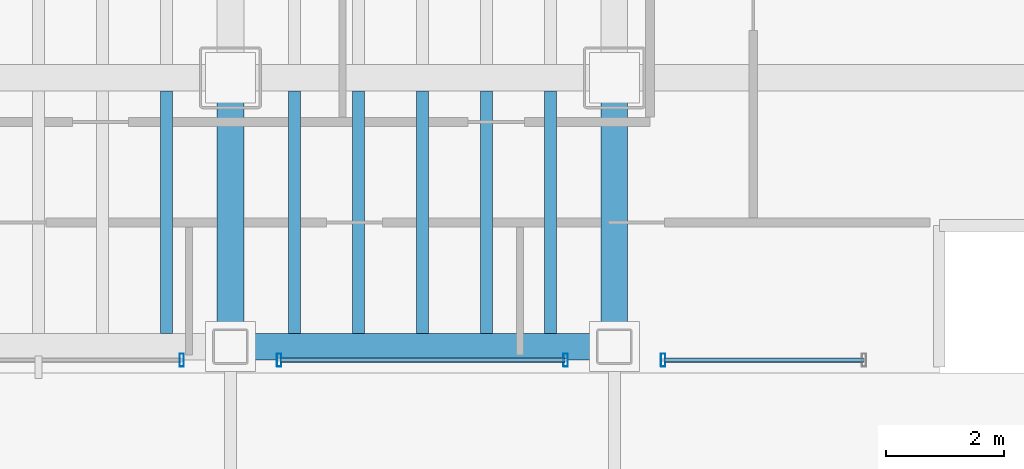
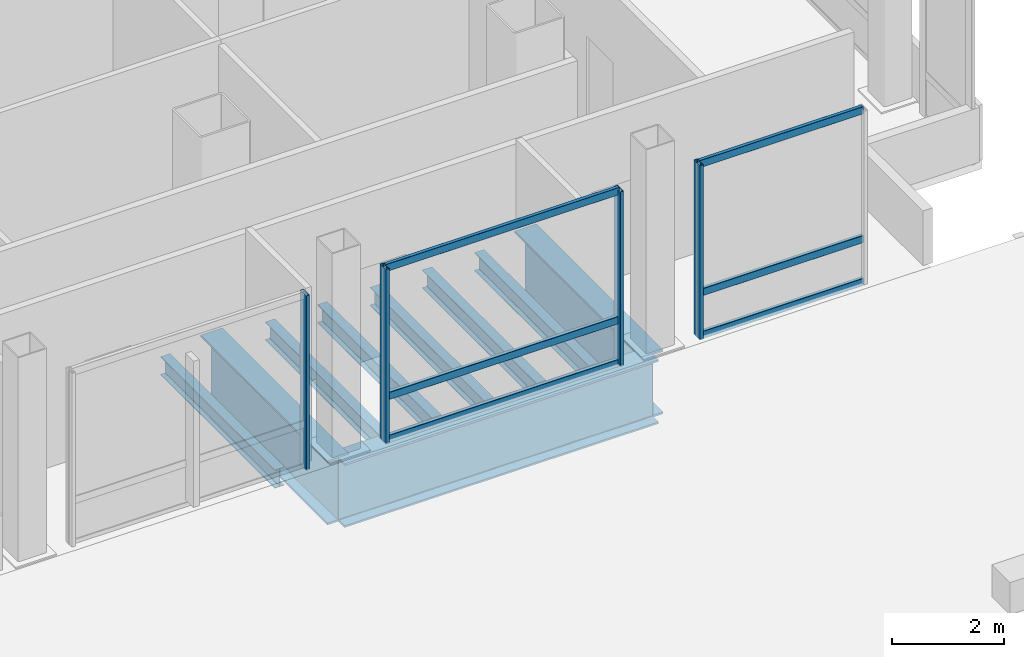
# One storey, part 11 of 34: 10 members, 9 beams, 3 elements without a shape of their own.
"""IFC4 building model written with IfcOpenShell, lengths in metres."""

from ifc_helpers import new_model, si_unit, direction, frame, origin, origin_2d, place, context, subcontext, project, spatial, hollow_rectangle, i_section, extrude, material, material_profile, profile_set, type_object, element, aggregate, save


model = new_model("IFC4")

# Units and contexts
model_context = context("Model", 3, precision=1e-05, world=origin(), true_north=direction((0.0, 1.0)))
body_context = subcontext(model_context, "Body", "Model", "MODEL_VIEW")
ifc_project = project(units=[si_unit("LENGTHUNIT", "METRE"), si_unit("AREAUNIT", "SQUARE_METRE"), si_unit("VOLUMEUNIT", "CUBIC_METRE"), si_unit("PLANEANGLEUNIT", "RADIAN"), si_unit("MASSUNIT", "GRAM", prefix="KILO")], contexts=[model_context])

# Site, building, storey
site_placement = place(None, origin())
site = spatial("IfcSite", under=ifc_project, at=site_placement, CompositionType="ELEMENT")
building_placement = place(site_placement, origin())
building = spatial("IfcBuilding", under=site, at=building_placement, Name="Noeulbin Bourse Tower", CompositionType="ELEMENT")
storey_placement = place(building_placement, frame((0.0, 0.0, 22.0)))
storey = spatial("IfcBuildingStorey", under=building, at=storey_placement, Name="L05", CompositionType="ELEMENT", Elevation=22.0)

# Beams
ifc_material_1 = material(Name="Steel S355", Category="steel")
ifc_material_profile_1 = material_profile(ifc_material_1, i_section(OverallWidth=0.199951171875, OverallDepth=0.39990234375, WebThickness=0.008056640625, FlangeThickness=0.012939453125, FilletRadius=0.01611328125, at=origin_2d()), Name="H-400x200x8x13", Category="LoadBearing")
ifc_profile_set_1 = profile_set([ifc_material_profile_1], Name="Steel S355")
beam_type_1 = type_object("IfcBeamType", Name="BM-SEC-400", PredefinedType="BEAM", material=ifc_profile_set_1)
for number, where, z_axis, x_axis, name in (
    (1, (36.416748046875, 15.675048828125, -0.43994140625), (0.0, 1.0, 0.0), (-1.0, 0.0, 0.0), "Tower Composite Joist L05-52"),
    (2, (38.583251953125, 15.675048828125, -0.43994140625), (0.0, 1.0, 0.0), (-1.0, 0.0, 0.0), "Tower Composite Joist L05-55"),
    (3, (39.666748046875, 15.675048828125, -0.43994140625), (0.0, 1.0, 0.0), (-1.0, 0.0, 0.0), "Tower Composite Joist L05-58"),
    (4, (40.75, 15.675048828125, -0.43994140625), (0.0, 1.0, 0.0), (-1.0, 0.0, 0.0), "Tower Composite Joist L05-61"),
    (5, (41.833251953125, 15.675048828125, -0.43994140625), (0.0, 1.0, 0.0), (-1.0, 0.0, 0.0), "Tower Composite Joist L05-64"),
    (6, (42.916748046875, 15.675048828125, -0.43994140625), (0.0, 1.0, 0.0), (-1.0, 0.0, 0.0), "Tower Composite Joist L05-67"),
):
    element("IfcBeam", number, at=place(storey_placement, frame(where, z_axis=z_axis, x_axis=x_axis)), inside=storey, type_object=beam_type_1, Name=name, PredefinedType="BEAM", context=body_context, shape_type="SweptSolid", body=[
        extrude(i_section(OverallWidth=0.199951171875, OverallDepth=0.39990234375, WebThickness=0.008056640625, FlangeThickness=0.012939453125, FilletRadius=0.01611328125, at=origin_2d()), origin(), (0.0, 0.0, 1.0), 4.099853515625),
    ])
ifc_material_2 = material(Name="Steel S460", Category="steel")
ifc_material_profile_2 = material_profile(ifc_material_2, i_section(OverallWidth=0.449951171875, OverallDepth=1.39990234375, WebThickness=0.02392578125, FlangeThickness=0.0400390625, FilletRadius=0.02392578125, at=origin_2d()), Name="PG-1400x450x24x40", Category="LoadBearing")
ifc_profile_set_2 = profile_set([ifc_material_profile_2], Name="Steel S460")
beam_type_2 = type_object("IfcBeamType", Name="BM-TRF-1400", PredefinedType="USERDEFINED", material=ifc_profile_set_2)
for number, where, z_axis, x_axis, name in (
    (7, (37.5, 15.449951171875, -0.93994140625), (0.0, 1.0, 0.0), (-1.0, 0.0, 0.0), "Tower Primary Girder NS L05-4.1"),
    (8, (44.0, 15.449951171875, -0.93994140625), (0.0, 1.0, 0.0), (-1.0, 0.0, 0.0), "Tower Primary Girder NS L05-5.1"),
):
    element("IfcBeam", number, at=place(storey_placement, frame(where, z_axis=z_axis, x_axis=x_axis)), inside=storey, type_object=beam_type_2, Name=name, ObjectType="GIRDER", PredefinedType="USERDEFINED", context=body_context, shape_type="SweptSolid", body=[
        extrude(i_section(OverallWidth=0.449951171875, OverallDepth=1.39990234375, WebThickness=0.02392578125, FlangeThickness=0.0400390625, FilletRadius=0.02392578125, at=origin_2d()), origin(), (0.0, 0.0, 1.0), 4.550048828125),
    ])
beam_placement = place(storey_placement, frame((37.5, 15.449951171875, -0.93994140625), z_axis=(1.0, 0.0, 0.0), x_axis=(0.0, 1.0, 0.0)))
element("IfcBeam", 9, at=beam_placement, inside=storey, type_object=beam_type_2, Name="South Spandrel L05-4", ObjectType="GIRDER", PredefinedType="USERDEFINED", context=body_context, shape_type="SweptSolid", body=[
    extrude(i_section(OverallWidth=0.449951171875, OverallDepth=1.39990234375, WebThickness=0.02392578125, FlangeThickness=0.0400390625, FilletRadius=0.02392578125, at=origin_2d()), origin(), (0.0, 0.0, 1.0), 6.5),
])

# Curtain wall, member
ifc_material_3 = material(Name="Dark Solar-Control Double Glazing", Category="glass")
curtain_wall_type = type_object("IfcCurtainWallType", Name="CW-SYS-2", PredefinedType="NOTDEFINED", material=ifc_material_3)
curtain_wall_1_placement = place(storey_placement, origin())
curtain_wall_1 = element("IfcCurtainWall", 10, at=curtain_wall_1_placement, inside=storey, type_object=curtain_wall_type, Name="Unitised Curtain Wall CW-L05-S2-S1", PredefinedType="NOTDEFINED")
ifc_material_4 = material(Name="Anodised Aluminium 6063-T6", Category="aluminium")
ifc_material_profile_3 = material_profile(ifc_material_4, hollow_rectangle(XDim=0.074951171875, YDim=0.219970703125, WallThickness=0.0048828125, InnerFilletRadius=0.00244140625, OuterFilletRadius=0.0048828125, at=origin_2d()), Name="ALU-MULL-75x220x5", Category="LoadBearing")
ifc_profile_set_3 = profile_set([ifc_material_profile_3], Name="Anodised Aluminium 6063-T6")
member_type_1 = type_object("IfcMemberType", Name="CW-SYS-2-MUL", PredefinedType="MULLION", material=ifc_profile_set_3)
member_1_placement = place(storey_placement, frame((36.675048828125, 15.219970703125, -0.02001953125), z_axis=(0.0, 0.0, 1.0), x_axis=(1.0, 0.0, 0.0)))
member_1 = element("IfcMember", 11, at=member_1_placement, type_object=member_type_1, Name="Curtain Wall Mullion CW-L05-S2-S1-M01", PredefinedType="MULLION", context=body_context, shape_type="SweptSolid", body=[
    extrude(hollow_rectangle(XDim=0.074951171875, YDim=0.219970703125, WallThickness=0.0048828125, InnerFilletRadius=0.00244140625, OuterFilletRadius=0.0048828125, at=origin_2d()), origin(), (0.0, 0.0, 1.0), 3.820068359375),
])
aggregate(curtain_wall_1, [member_1])

# Curtain wall, members
curtain_wall_2_placement = place(storey_placement, origin())
curtain_wall_2 = element("IfcCurtainWall", 12, at=curtain_wall_2_placement, inside=storey, type_object=curtain_wall_type, Name="Unitised Curtain Wall CW-L05-S2-S2", PredefinedType="NOTDEFINED")
member_2_placement = place(storey_placement, frame((38.324951171875, 15.219970703125, -0.02001953125), z_axis=(0.0, 0.0, 1.0), x_axis=(1.0, 0.0, 0.0)))
member_2 = element("IfcMember", 13, at=member_2_placement, type_object=member_type_1, Name="Curtain Wall Mullion CW-L05-S2-S2-M00", PredefinedType="MULLION", context=body_context, shape_type="SweptSolid", body=[
    extrude(hollow_rectangle(XDim=0.074951171875, YDim=0.219970703125, WallThickness=0.0048828125, InnerFilletRadius=0.00244140625, OuterFilletRadius=0.0048828125, at=origin_2d()), origin(), (0.0, 0.0, 1.0), 3.820068359375),
])
member_3_placement = place(storey_placement, frame((43.175048828125, 15.219970703125, -0.02001953125), z_axis=(0.0, 0.0, 1.0), x_axis=(1.0, 0.0, 0.0)))
member_3 = element("IfcMember", 14, at=member_3_placement, type_object=member_type_1, Name="Curtain Wall Mullion CW-L05-S2-S2-M01", PredefinedType="MULLION", context=body_context, shape_type="SweptSolid", body=[
    extrude(hollow_rectangle(XDim=0.074951171875, YDim=0.219970703125, WallThickness=0.0048828125, InnerFilletRadius=0.00244140625, OuterFilletRadius=0.0048828125, at=origin_2d()), origin(), (0.0, 0.0, 1.0), 3.820068359375),
])

# Curtain wall, member
curtain_wall_3_placement = place(storey_placement, origin())
curtain_wall_3 = element("IfcCurtainWall", 15, at=curtain_wall_3_placement, inside=storey, type_object=curtain_wall_type, Name="Unitised Curtain Wall CW-L05-S2-S3", PredefinedType="NOTDEFINED")
member_4_placement = place(storey_placement, frame((44.824951171875, 15.219970703125, -0.02001953125), z_axis=(0.0, 0.0, 1.0), x_axis=(1.0, 0.0, 0.0)))
member_4 = element("IfcMember", 16, at=member_4_placement, type_object=member_type_1, Name="Curtain Wall Mullion CW-L05-S2-S3-M00", PredefinedType="MULLION", context=body_context, shape_type="SweptSolid", body=[
    extrude(hollow_rectangle(XDim=0.074951171875, YDim=0.219970703125, WallThickness=0.0048828125, InnerFilletRadius=0.00244140625, OuterFilletRadius=0.0048828125, at=origin_2d()), origin(), (0.0, 0.0, 1.0), 3.820068359375),
])

# Member
ifc_material_profile_4 = material_profile(ifc_material_4, hollow_rectangle(XDim=0.074951171875, YDim=0.159912109375, WallThickness=0.0048828125, InnerFilletRadius=0.00244140625, OuterFilletRadius=0.0048828125, at=origin_2d()), Name="ALU-TRAN-75x160x5", Category="LoadBearing")
ifc_profile_set_4 = profile_set([ifc_material_profile_4], Name="Anodised Aluminium 6063-T6")
member_type_2 = type_object("IfcMemberType", Name="CW-SYS-2-TRN", PredefinedType="USERDEFINED", material=ifc_profile_set_4)
member_5_placement = place(storey_placement, frame((38.3349609375, 15.219970703125, 0.010009765625), z_axis=(1.0, 0.0, 0.0), x_axis=(0.0, 1.0, 0.0)))
member_5 = element("IfcMember", 17, at=member_5_placement, type_object=member_type_2, Name="Curtain Wall Transom CW-L05-S2-S2-T00", ObjectType="TRANSOM", PredefinedType="USERDEFINED", context=body_context, shape_type="SweptSolid", body=[
    extrude(hollow_rectangle(XDim=0.074951171875, YDim=0.159912109375, WallThickness=0.0048828125, InnerFilletRadius=0.00244140625, OuterFilletRadius=0.0048828125, at=origin_2d()), origin(), (0.0, 0.0, 1.0), 4.830078125),
])

member_6_placement = place(storey_placement, frame((38.3349609375, 15.219970703125, 0.949951171875), z_axis=(1.0, 0.0, 0.0), x_axis=(0.0, 1.0, 0.0)))
member_6 = element("IfcMember", 18, at=member_6_placement, type_object=member_type_2, Name="Curtain Wall Transom CW-L05-S2-S2-T01", ObjectType="TRANSOM", PredefinedType="USERDEFINED", context=body_context, shape_type="SweptSolid", body=[
    extrude(hollow_rectangle(XDim=0.074951171875, YDim=0.159912109375, WallThickness=0.0048828125, InnerFilletRadius=0.00244140625, OuterFilletRadius=0.0048828125, at=origin_2d()), origin(), (0.0, 0.0, 1.0), 4.830078125),
])

member_7_placement = place(storey_placement, frame((38.3349609375, 15.219970703125, 3.77001953125), z_axis=(1.0, 0.0, 0.0), x_axis=(0.0, 1.0, 0.0)))
member_7 = element("IfcMember", 19, at=member_7_placement, type_object=member_type_2, Name="Curtain Wall Transom CW-L05-S2-S2-T02", ObjectType="TRANSOM", PredefinedType="USERDEFINED", context=body_context, shape_type="SweptSolid", body=[
    extrude(hollow_rectangle(XDim=0.074951171875, YDim=0.159912109375, WallThickness=0.0048828125, InnerFilletRadius=0.00244140625, OuterFilletRadius=0.0048828125, at=origin_2d()), origin(), (0.0, 0.0, 1.0), 4.830078125),
])

aggregate(curtain_wall_2, [member_2, member_3, member_5, member_6, member_7])

member_8_placement = place(storey_placement, frame((44.8349609375, 15.219970703125, 0.010009765625), z_axis=(1.0, 0.0, 0.0), x_axis=(0.0, 1.0, 0.0)))
member_8 = element("IfcMember", 20, at=member_8_placement, type_object=member_type_2, Name="Curtain Wall Transom CW-L05-S2-S3-T00", ObjectType="TRANSOM", PredefinedType="USERDEFINED", context=body_context, shape_type="SweptSolid", body=[
    extrude(hollow_rectangle(XDim=0.074951171875, YDim=0.159912109375, WallThickness=0.0048828125, InnerFilletRadius=0.00244140625, OuterFilletRadius=0.0048828125, at=origin_2d()), origin(), (0.0, 0.0, 1.0), 3.380126953125),
])

member_9_placement = place(storey_placement, frame((44.8349609375, 15.219970703125, 0.949951171875), z_axis=(1.0, 0.0, 0.0), x_axis=(0.0, 1.0, 0.0)))
member_9 = element("IfcMember", 21, at=member_9_placement, type_object=member_type_2, Name="Curtain Wall Transom CW-L05-S2-S3-T01", ObjectType="TRANSOM", PredefinedType="USERDEFINED", context=body_context, shape_type="SweptSolid", body=[
    extrude(hollow_rectangle(XDim=0.074951171875, YDim=0.159912109375, WallThickness=0.0048828125, InnerFilletRadius=0.00244140625, OuterFilletRadius=0.0048828125, at=origin_2d()), origin(), (0.0, 0.0, 1.0), 3.380126953125),
])

member_10_placement = place(storey_placement, frame((44.8349609375, 15.219970703125, 3.77001953125), z_axis=(1.0, 0.0, 0.0), x_axis=(0.0, 1.0, 0.0)))
member_10 = element("IfcMember", 22, at=member_10_placement, type_object=member_type_2, Name="Curtain Wall Transom CW-L05-S2-S3-T02", ObjectType="TRANSOM", PredefinedType="USERDEFINED", context=body_context, shape_type="SweptSolid", body=[
    extrude(hollow_rectangle(XDim=0.074951171875, YDim=0.159912109375, WallThickness=0.0048828125, InnerFilletRadius=0.00244140625, OuterFilletRadius=0.0048828125, at=origin_2d()), origin(), (0.0, 0.0, 1.0), 3.380126953125),
])

aggregate(curtain_wall_3, [member_4, member_8, member_9, member_10])

save(model, "model.ifc")
